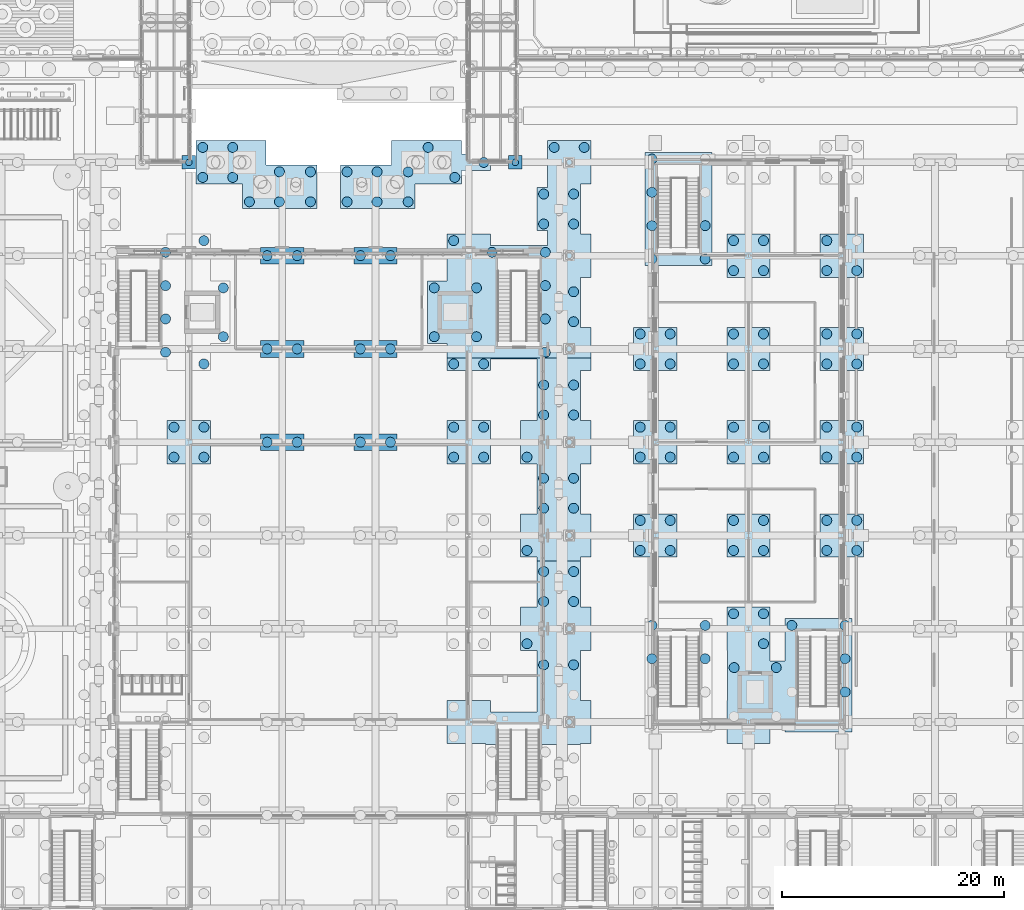
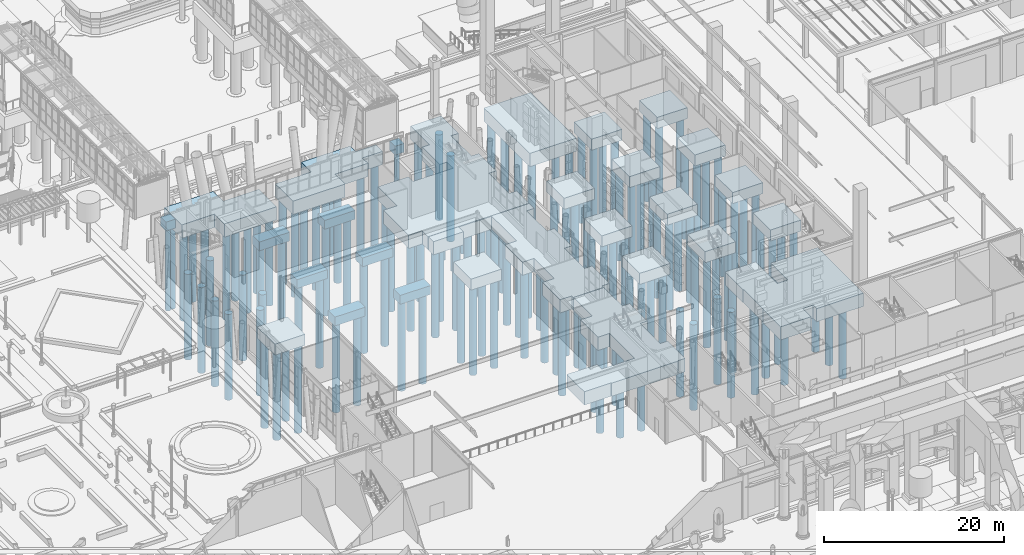
# One storey, part 4 of 222: 147 piles, 28 footings.
"""IFC4 building model written with IfcOpenShell, lengths in metres."""

from ifc_helpers import new_model, si_unit, direction, frame, origin, origin_2d, place, context, subcontext, project, spatial, polyline, rectangle, circle, outline, extrude, material, material_profile, profile_set, type_object, element, save


model = new_model("IFC4")

# Units and contexts
model_context = context("Model", 3, precision=1e-05, world=origin(), true_north=direction((0.0, 1.0)))
body_context = subcontext(model_context, "Body", "Model", "MODEL_VIEW")
ifc_project = project(units=[si_unit("LENGTHUNIT", "METRE"), si_unit("AREAUNIT", "SQUARE_METRE"), si_unit("VOLUMEUNIT", "CUBIC_METRE"), si_unit("PLANEANGLEUNIT", "RADIAN"), si_unit("MASSUNIT", "GRAM", prefix="KILO")], contexts=[model_context])

# Site, building, storey
site_placement = place(None, origin())
site = spatial("IfcSite", under=ifc_project, at=site_placement, CompositionType="ELEMENT")
building_placement = place(site_placement, origin())
building = spatial("IfcBuilding", under=site, at=building_placement, Name="Sava Quay Ferry Terminal", CompositionType="ELEMENT")
storey_placement = place(building_placement, origin())
storey = spatial("IfcBuildingStorey", under=building, at=storey_placement, Name="L00", CompositionType="ELEMENT", Elevation=0.0)

# Piles
ifc_material_1 = material(Name="Concrete C30/37", Category="concrete")
ifc_material_profile_1 = material_profile(ifc_material_1, circle(Radius=0.300048828125, at=origin_2d()), Name="Bored pile D600")
ifc_profile_set_1 = profile_set([ifc_material_profile_1], Name="Concrete C30/37")
pile_type_1 = type_object("IfcPileType", Name="Bored pile D600", PredefinedType="BORED", material=ifc_profile_set_1)
for number, where, z_axis, x_axis, name in (
    (1, (50.39990234375, 109.199951171875, -2.449951171875), (0.0, 0.0, -1.0), (1.0, 0.0, 0.0), "Pile 50.4/109.2"),
    (2, (79.800048828125, 109.199951171875, -2.449951171875), (0.0, 0.0, -1.0), (1.0, 0.0, 0.0), "Pile 79.8/109.2"),
):
    element("IfcPile", number, at=place(storey_placement, frame(where, z_axis=z_axis, x_axis=x_axis)), inside=storey, type_object=pile_type_1, Name=name, PredefinedType="BORED", context=body_context, shape_type="SweptSolid", body=[
        extrude(circle(Radius=0.300048828125, at=origin_2d()), origin(), (0.0, 0.0, 1.0), 11.35009765625),
    ])
ifc_material_2 = material(Name="Concrete C30/37", Category="concrete")
ifc_material_profile_2 = material_profile(ifc_material_2, circle(Radius=0.449951171875, at=origin_2d()), Name="Bored pile D900")
ifc_profile_set_2 = profile_set([ifc_material_profile_2], Name="Concrete C30/37")
pile_type_2 = type_object("IfcPileType", Name="Bored pile D900", PredefinedType="BORED", material=ifc_profile_set_2)
for number, where, z_axis, x_axis, name in (
    (3, (82.35009765625, 63.949951171875, -3.050048828125), (0.0, 0.0, -1.0), (1.0, 0.0, 0.0), "Pile 82.35/63.95"),
    (4, (85.050048828125, 63.949951171875, -3.050048828125), (0.0, 0.0, -1.0), (1.0, 0.0, 0.0), "Pile 85.05/63.95"),
    (5, (82.35009765625, 69.64990234375, -3.050048828125), (0.0, 0.0, -1.0), (1.0, 0.0, 0.0), "Pile 82.35/69.65"),
    (6, (82.35009765625, 72.35009765625, -3.050048828125), (0.0, 0.0, -1.0), (1.0, 0.0, 0.0), "Pile 82.35/72.35"),
    (7, (85.050048828125, 69.64990234375, -3.050048828125), (0.0, 0.0, -1.0), (1.0, 0.0, 0.0), "Pile 85.05/69.65"),
    (8, (85.050048828125, 72.35009765625, -3.050048828125), (0.0, 0.0, -1.0), (1.0, 0.0, 0.0), "Pile 85.05/72.35"),
    (9, (80.85009765625, 65.85009765625, -3.050048828125), (0.0, 0.0, -1.0), (1.0, 0.0, 0.0), "Pile 80.85/65.85"),
    (10, (99.5, 63.699951171875, -3.050048828125), (0.0, 0.0, -1.0), (1.0, 0.0, 0.0), "Pile 99.5/63.7"),
    (11, (103.300048828125, 63.699951171875, -3.050048828125), (0.0, 0.0, -1.0), (1.0, 0.0, 0.0), "Pile 103.3/63.7"),
    (12, (104.699951171875, 67.5, -3.050048828125), (0.0, 0.0, -1.0), (1.0, 0.0, 0.0), "Pile 104.7/67.5"),
    (13, (109.5, 61.5, -3.050048828125), (0.0, 0.0, -1.0), (1.0, 0.0, 0.0), "Pile 109.5/61.5"),
    (14, (109.5, 64.5, -3.050048828125), (0.0, 0.0, -1.0), (1.0, 0.0, 0.0), "Pile 109.5/64.5"),
    (15, (109.5, 67.5, -3.050048828125), (0.0, 0.0, -1.0), (1.0, 0.0, 0.0), "Pile 109.5/67.5"),
    (16, (99.449951171875, 68.550048828125, -3.050048828125), (0.0, 0.0, -1.0), (1.0, 0.0, 0.0), "Pile 99.45/68.55"),
    (17, (102.14990234375, 65.85009765625, -3.050048828125), (0.0, 0.0, -1.0), (1.0, 0.0, 0.0), "Pile 102.15/65.85"),
    (18, (102.14990234375, 68.550048828125, -3.050048828125), (0.0, 0.0, -1.0), (1.0, 0.0, 0.0), "Pile 102.15/68.55"),
    (19, (92.10009765625, 64.5, -3.050048828125), (0.0, 0.0, -1.0), (1.0, 0.0, 0.0), "Pile 92.1/64.5"),
    (20, (92.10009765625, 67.5, -3.050048828125), (0.0, 0.0, -1.0), (1.0, 0.0, 0.0), "Pile 92.1/67.5"),
    (21, (96.89990234375, 64.5, -3.050048828125), (0.0, 0.0, -1.0), (1.0, 0.0, 0.0), "Pile 96.9/64.5"),
    (22, (96.89990234375, 67.5, -3.050048828125), (0.0, 0.0, -1.0), (1.0, 0.0, 0.0), "Pile 96.9/67.5"),
    (23, (82.35009765625, 78.050048828125, -3.050048828125), (0.0, 0.0, -1.0), (1.0, 0.0, 0.0), "Pile 82.35/78.05"),
    (24, (82.35009765625, 80.75, -3.050048828125), (0.0, 0.0, -1.0), (1.0, 0.0, 0.0), "Pile 82.35/80.75"),
    (25, (85.050048828125, 78.050048828125, -3.050048828125), (0.0, 0.0, -1.0), (1.0, 0.0, 0.0), "Pile 85.05/78.05"),
    (26, (85.050048828125, 80.75, -3.050048828125), (0.0, 0.0, -1.0), (1.0, 0.0, 0.0), "Pile 85.05/80.75"),
    (27, (82.35009765625, 86.449951171875, -3.050048828125), (0.0, 0.0, -1.0), (1.0, 0.0, 0.0), "Pile 82.35/86.45"),
    (28, (82.35009765625, 89.14990234375, -3.050048828125), (0.0, 0.0, -1.0), (1.0, 0.0, 0.0), "Pile 82.35/89.15"),
    (29, (85.050048828125, 86.449951171875, -3.050048828125), (0.0, 0.0, -1.0), (1.0, 0.0, 0.0), "Pile 85.05/86.45"),
    (30, (85.050048828125, 89.14990234375, -3.050048828125), (0.0, 0.0, -1.0), (1.0, 0.0, 0.0), "Pile 85.05/89.15"),
    (31, (74.25, 91.050048828125, -3.050048828125), (0.0, 0.0, -1.0), (1.0, 0.0, 0.0), "Pile 74.25/91.05"),
    (32, (76.949951171875, 91.050048828125, -3.050048828125), (0.0, 0.0, -1.0), (1.0, 0.0, 0.0), "Pile 76.95/91.05"),
    (33, (80.85009765625, 74.25, -3.050048828125), (0.0, 0.0, -1.0), (1.0, 0.0, 0.0), "Pile 80.85/74.25"),
    (34, (80.85009765625, 82.64990234375, -3.050048828125), (0.0, 0.0, -1.0), (1.0, 0.0, 0.0), "Pile 80.85/82.65"),
):
    element("IfcPile", number, at=place(storey_placement, frame(where, z_axis=z_axis, x_axis=x_axis)), inside=storey, type_object=pile_type_2, Name=name, PredefinedType="BORED", context=body_context, shape_type="SweptSolid", body=[
        extrude(circle(Radius=0.449951171875, at=origin_2d()), origin(), (0.0, 0.0, 1.0), 11.64990234375),
    ])
for number, where, z_axis, x_axis, name in (
    (35, (91.050048828125, 74.25, -2.75), (0.0, 0.0, -1.0), (1.0, 0.0, 0.0), "Pile 91.05/74.25"),
    (36, (91.050048828125, 76.949951171875, -2.75), (0.0, 0.0, -1.0), (1.0, 0.0, 0.0), "Pile 91.05/76.95"),
    (37, (93.75, 74.25, -2.75), (0.0, 0.0, -1.0), (1.0, 0.0, 0.0), "Pile 93.75/74.25"),
    (38, (93.75, 76.949951171875, -2.75), (0.0, 0.0, -1.0), (1.0, 0.0, 0.0), "Pile 93.75/76.95"),
    (39, (99.449951171875, 74.25, -2.75), (0.0, 0.0, -1.0), (1.0, 0.0, 0.0), "Pile 99.45/74.25"),
    (40, (99.449951171875, 76.949951171875, -2.75), (0.0, 0.0, -1.0), (1.0, 0.0, 0.0), "Pile 99.45/76.95"),
    (41, (102.14990234375, 74.25, -2.75), (0.0, 0.0, -1.0), (1.0, 0.0, 0.0), "Pile 102.15/74.25"),
    (42, (102.14990234375, 76.949951171875, -2.75), (0.0, 0.0, -1.0), (1.0, 0.0, 0.0), "Pile 102.15/76.95"),
    (43, (107.85009765625, 74.25, -2.75), (0.0, 0.0, -1.0), (1.0, 0.0, 0.0), "Pile 107.85/74.25"),
    (44, (107.85009765625, 76.949951171875, -2.75), (0.0, 0.0, -1.0), (1.0, 0.0, 0.0), "Pile 107.85/76.95"),
    (45, (110.550048828125, 74.25, -2.75), (0.0, 0.0, -1.0), (1.0, 0.0, 0.0), "Pile 110.55/74.25"),
    (46, (110.550048828125, 76.949951171875, -2.75), (0.0, 0.0, -1.0), (1.0, 0.0, 0.0), "Pile 110.55/76.95"),
    (47, (49.050048828125, 82.64990234375, -2.75), (0.0, 0.0, -1.0), (1.0, 0.0, 0.0), "Pile 49.05/82.65"),
    (48, (49.050048828125, 85.35009765625, -2.75), (0.0, 0.0, -1.0), (1.0, 0.0, 0.0), "Pile 49.05/85.35"),
    (49, (51.75, 82.64990234375, -2.75), (0.0, 0.0, -1.0), (1.0, 0.0, 0.0), "Pile 51.75/82.65"),
    (50, (51.75, 85.35009765625, -2.75), (0.0, 0.0, -1.0), (1.0, 0.0, 0.0), "Pile 51.75/85.35"),
    (51, (74.25, 82.64990234375, -2.75), (0.0, 0.0, -1.0), (1.0, 0.0, 0.0), "Pile 74.25/82.65"),
    (52, (74.25, 85.35009765625, -2.75), (0.0, 0.0, -1.0), (1.0, 0.0, 0.0), "Pile 74.25/85.35"),
    (53, (76.949951171875, 82.64990234375, -2.75), (0.0, 0.0, -1.0), (1.0, 0.0, 0.0), "Pile 76.95/82.65"),
    (54, (76.949951171875, 85.35009765625, -2.75), (0.0, 0.0, -1.0), (1.0, 0.0, 0.0), "Pile 76.95/85.35"),
    (55, (91.050048828125, 82.64990234375, -2.75), (0.0, 0.0, -1.0), (1.0, 0.0, 0.0), "Pile 91.05/82.65"),
    (56, (91.050048828125, 85.35009765625, -2.75), (0.0, 0.0, -1.0), (1.0, 0.0, 0.0), "Pile 91.05/85.35"),
    (57, (93.75, 82.64990234375, -2.75), (0.0, 0.0, -1.0), (1.0, 0.0, 0.0), "Pile 93.75/82.65"),
    (58, (93.75, 85.35009765625, -2.75), (0.0, 0.0, -1.0), (1.0, 0.0, 0.0), "Pile 93.75/85.35"),
    (59, (99.449951171875, 82.64990234375, -2.75), (0.0, 0.0, -1.0), (1.0, 0.0, 0.0), "Pile 99.45/82.65"),
    (60, (99.449951171875, 85.35009765625, -2.75), (0.0, 0.0, -1.0), (1.0, 0.0, 0.0), "Pile 99.45/85.35"),
    (61, (102.14990234375, 82.64990234375, -2.75), (0.0, 0.0, -1.0), (1.0, 0.0, 0.0), "Pile 102.15/82.65"),
    (62, (102.14990234375, 85.35009765625, -2.75), (0.0, 0.0, -1.0), (1.0, 0.0, 0.0), "Pile 102.15/85.35"),
    (63, (107.85009765625, 82.64990234375, -2.75), (0.0, 0.0, -1.0), (1.0, 0.0, 0.0), "Pile 107.85/82.65"),
    (64, (107.85009765625, 85.35009765625, -2.75), (0.0, 0.0, -1.0), (1.0, 0.0, 0.0), "Pile 107.85/85.35"),
    (65, (110.550048828125, 82.64990234375, -2.75), (0.0, 0.0, -1.0), (1.0, 0.0, 0.0), "Pile 110.55/82.65"),
    (66, (110.550048828125, 85.35009765625, -2.75), (0.0, 0.0, -1.0), (1.0, 0.0, 0.0), "Pile 110.55/85.35"),
):
    element("IfcPile", number, at=place(storey_placement, frame(where, z_axis=z_axis, x_axis=x_axis)), inside=storey, type_object=pile_type_2, Name=name, PredefinedType="BORED", context=body_context, shape_type="SweptSolid", body=[
        extrude(circle(Radius=0.449951171875, at=origin_2d()), origin(), (0.0, 0.0, 1.0), 11.949951171875),
    ])
for number, where, z_axis, x_axis, name in (
    (67, (57.449951171875, 84.0, -2.449951171875), (0.0, 0.0, -1.0), (1.0, 0.0, 0.0), "Pile 57.45/84"),
    (68, (60.14990234375, 84.0, -2.449951171875), (0.0, 0.0, -1.0), (1.0, 0.0, 0.0), "Pile 60.15/84"),
    (69, (65.85009765625, 84.0, -2.449951171875), (0.0, 0.0, -1.0), (1.0, 0.0, 0.0), "Pile 65.85/84"),
    (70, (68.550048828125, 84.0, -2.449951171875), (0.0, 0.0, -1.0), (1.0, 0.0, 0.0), "Pile 68.55/84"),
):
    element("IfcPile", number, at=place(storey_placement, frame(where, z_axis=z_axis, x_axis=x_axis)), inside=storey, type_object=pile_type_2, Name=name, PredefinedType="BORED", context=body_context, shape_type="SweptSolid", body=[
        extrude(circle(Radius=0.449951171875, at=origin_2d()), origin(), (0.0, 0.0, 1.0), 12.25),
    ])
for number, where, z_axis, x_axis, name in (
    (71, (48.300048828125, 92.10009765625, -3.050048828125), (0.0, 0.0, -1.0), (1.0, 0.0, 0.0), "Pile 48.3/92.1"),
    (72, (48.300048828125, 95.10009765625, -3.050048828125), (0.0, 0.0, -1.0), (1.0, 0.0, 0.0), "Pile 48.3/95.1"),
    (73, (48.300048828125, 98.10009765625, -3.050048828125), (0.0, 0.0, -1.0), (1.0, 0.0, 0.0), "Pile 48.3/98.1"),
    (74, (48.300048828125, 101.10009765625, -3.050048828125), (0.0, 0.0, -1.0), (1.0, 0.0, 0.0), "Pile 48.3/101.1"),
    (75, (53.5, 93.5, -3.050048828125), (0.0, 0.0, -1.0), (1.0, 0.0, 0.0), "Pile 53.5/93.5"),
    (76, (53.5, 97.89990234375, -3.050048828125), (0.0, 0.0, -1.0), (1.0, 0.0, 0.0), "Pile 53.5/97.9"),
    (77, (51.75, 91.050048828125, -3.050048828125), (0.0, 0.0, -1.0), (1.0, 0.0, 0.0), "Pile 51.75/91.05"),
    (78, (51.75, 102.14990234375, -3.050048828125), (0.0, 0.0, -1.0), (1.0, 0.0, 0.0), "Pile 51.75/102.15"),
):
    element("IfcPile", number, at=place(storey_placement, frame(where, z_axis=z_axis, x_axis=x_axis)), inside=storey, type_object=pile_type_2, Name=name, PredefinedType="BORED", context=body_context, shape_type="SweptSolid", body=[
        extrude(circle(Radius=0.449951171875, at=origin_2d()), origin(), (0.0, 0.0, 1.0), 11.64990234375),
    ])
for number, where, z_axis, x_axis, name in (
    (79, (91.050048828125, 91.050048828125, -2.75), (0.0, 0.0, -1.0), (1.0, 0.0, 0.0), "Pile 91.05/91.05"),
    (80, (91.050048828125, 93.75, -2.75), (0.0, 0.0, -1.0), (1.0, 0.0, 0.0), "Pile 91.05/93.75"),
    (81, (93.75, 91.050048828125, -2.75), (0.0, 0.0, -1.0), (1.0, 0.0, 0.0), "Pile 93.75/91.05"),
    (82, (93.75, 93.75, -2.75), (0.0, 0.0, -1.0), (1.0, 0.0, 0.0), "Pile 93.75/93.75"),
    (83, (99.449951171875, 91.050048828125, -2.75), (0.0, 0.0, -1.0), (1.0, 0.0, 0.0), "Pile 99.45/91.05"),
    (84, (99.449951171875, 93.75, -2.75), (0.0, 0.0, -1.0), (1.0, 0.0, 0.0), "Pile 99.45/93.75"),
    (85, (102.14990234375, 91.050048828125, -2.75), (0.0, 0.0, -1.0), (1.0, 0.0, 0.0), "Pile 102.15/91.05"),
    (86, (102.14990234375, 93.75, -2.75), (0.0, 0.0, -1.0), (1.0, 0.0, 0.0), "Pile 102.15/93.75"),
    (87, (107.85009765625, 91.050048828125, -2.75), (0.0, 0.0, -1.0), (1.0, 0.0, 0.0), "Pile 107.85/91.05"),
    (88, (107.85009765625, 93.75, -2.75), (0.0, 0.0, -1.0), (1.0, 0.0, 0.0), "Pile 107.85/93.75"),
    (89, (110.550048828125, 91.050048828125, -2.75), (0.0, 0.0, -1.0), (1.0, 0.0, 0.0), "Pile 110.55/91.05"),
    (90, (110.550048828125, 93.75, -2.75), (0.0, 0.0, -1.0), (1.0, 0.0, 0.0), "Pile 110.55/93.75"),
):
    element("IfcPile", number, at=place(storey_placement, frame(where, z_axis=z_axis, x_axis=x_axis)), inside=storey, type_object=pile_type_2, Name=name, PredefinedType="BORED", context=body_context, shape_type="SweptSolid", body=[
        extrude(circle(Radius=0.449951171875, at=origin_2d()), origin(), (0.0, 0.0, 1.0), 11.949951171875),
    ])
for number, where, z_axis, x_axis, name in (
    (91, (72.5, 93.5, -3.050048828125), (0.0, 0.0, -1.0), (1.0, 0.0, 0.0), "Pile 72.5/93.5"),
    (92, (72.5, 97.89990234375, -3.050048828125), (0.0, 0.0, -1.0), (1.0, 0.0, 0.0), "Pile 72.5/97.9"),
    (93, (76.300048828125, 93.5, -3.050048828125), (0.0, 0.0, -1.0), (1.0, 0.0, 0.0), "Pile 76.3/93.5"),
    (94, (76.300048828125, 97.89990234375, -3.050048828125), (0.0, 0.0, -1.0), (1.0, 0.0, 0.0), "Pile 76.3/97.9"),
    (95, (77.699951171875, 101.10009765625, -3.050048828125), (0.0, 0.0, -1.0), (1.0, 0.0, 0.0), "Pile 77.7/101.1"),
    (96, (82.5, 92.10009765625, -3.050048828125), (0.0, 0.0, -1.0), (1.0, 0.0, 0.0), "Pile 82.5/92.1"),
    (97, (82.5, 95.10009765625, -3.050048828125), (0.0, 0.0, -1.0), (1.0, 0.0, 0.0), "Pile 82.5/95.1"),
    (98, (82.5, 98.10009765625, -3.050048828125), (0.0, 0.0, -1.0), (1.0, 0.0, 0.0), "Pile 82.5/98.1"),
    (99, (82.5, 101.10009765625, -3.050048828125), (0.0, 0.0, -1.0), (1.0, 0.0, 0.0), "Pile 82.5/101.1"),
    (100, (85.050048828125, 94.85009765625, -3.050048828125), (0.0, 0.0, -1.0), (1.0, 0.0, 0.0), "Pile 85.05/94.85"),
    (101, (85.050048828125, 97.550048828125, -3.050048828125), (0.0, 0.0, -1.0), (1.0, 0.0, 0.0), "Pile 85.05/97.55"),
    (102, (82.35009765625, 103.64990234375, -3.050048828125), (0.0, 0.0, -1.0), (1.0, 0.0, 0.0), "Pile 82.35/103.65"),
    (103, (82.35009765625, 106.35009765625, -3.050048828125), (0.0, 0.0, -1.0), (1.0, 0.0, 0.0), "Pile 82.35/106.35"),
    (104, (85.050048828125, 103.64990234375, -3.050048828125), (0.0, 0.0, -1.0), (1.0, 0.0, 0.0), "Pile 85.05/103.65"),
    (105, (85.050048828125, 106.35009765625, -3.050048828125), (0.0, 0.0, -1.0), (1.0, 0.0, 0.0), "Pile 85.05/106.35"),
    (106, (83.300048828125, 110.550048828125, -3.050048828125), (0.0, 0.0, -1.0), (1.0, 0.0, 0.0), "Pile 83.3/110.55"),
    (107, (86.0, 110.550048828125, -3.050048828125), (0.0, 0.0, -1.0), (1.0, 0.0, 0.0), "Pile 86/110.55"),
    (108, (74.25, 102.14990234375, -3.050048828125), (0.0, 0.0, -1.0), (1.0, 0.0, 0.0), "Pile 74.25/102.15"),
):
    element("IfcPile", number, at=place(storey_placement, frame(where, z_axis=z_axis, x_axis=x_axis)), inside=storey, type_object=pile_type_2, Name=name, PredefinedType="BORED", context=body_context, shape_type="SweptSolid", body=[
        extrude(circle(Radius=0.449951171875, at=origin_2d()), origin(), (0.0, 0.0, 1.0), 11.64990234375),
    ])
for number, where, z_axis, x_axis, name in (
    (109, (57.449951171875, 92.39990234375, -2.449951171875), (0.0, 0.0, -1.0), (1.0, 0.0, 0.0), "Pile 57.45/92.4"),
    (110, (60.14990234375, 92.39990234375, -2.449951171875), (0.0, 0.0, -1.0), (1.0, 0.0, 0.0), "Pile 60.15/92.4"),
    (111, (65.85009765625, 92.39990234375, -2.449951171875), (0.0, 0.0, -1.0), (1.0, 0.0, 0.0), "Pile 65.85/92.4"),
    (112, (68.550048828125, 92.39990234375, -2.449951171875), (0.0, 0.0, -1.0), (1.0, 0.0, 0.0), "Pile 68.55/92.4"),
):
    element("IfcPile", number, at=place(storey_placement, frame(where, z_axis=z_axis, x_axis=x_axis)), inside=storey, type_object=pile_type_2, Name=name, PredefinedType="BORED", context=body_context, shape_type="SweptSolid", body=[
        extrude(circle(Radius=0.449951171875, at=origin_2d()), origin(), (0.0, 0.0, 1.0), 12.25),
    ])
for number, where, z_axis, x_axis, name in (
    (113, (99.449951171875, 99.449951171875, -2.75), (0.0, 0.0, -1.0), (1.0, 0.0, 0.0), "Pile 99.45/99.45"),
    (114, (99.449951171875, 102.14990234375, -2.75), (0.0, 0.0, -1.0), (1.0, 0.0, 0.0), "Pile 99.45/102.15"),
    (115, (102.14990234375, 99.449951171875, -2.75), (0.0, 0.0, -1.0), (1.0, 0.0, 0.0), "Pile 102.15/99.45"),
    (116, (102.14990234375, 102.14990234375, -2.75), (0.0, 0.0, -1.0), (1.0, 0.0, 0.0), "Pile 102.15/102.15"),
    (117, (107.85009765625, 99.449951171875, -2.75), (0.0, 0.0, -1.0), (1.0, 0.0, 0.0), "Pile 107.85/99.45"),
    (118, (107.85009765625, 102.14990234375, -2.75), (0.0, 0.0, -1.0), (1.0, 0.0, 0.0), "Pile 107.85/102.15"),
    (119, (110.550048828125, 99.449951171875, -2.75), (0.0, 0.0, -1.0), (1.0, 0.0, 0.0), "Pile 110.55/99.45"),
):
    element("IfcPile", number, at=place(storey_placement, frame(where, z_axis=z_axis, x_axis=x_axis)), inside=storey, type_object=pile_type_2, Name=name, PredefinedType="BORED", context=body_context, shape_type="SweptSolid", body=[
        extrude(circle(Radius=0.449951171875, at=origin_2d()), origin(), (0.0, 0.0, 1.0), 11.949951171875),
    ])
for number, where, z_axis, x_axis, name in (
    (120, (92.10009765625, 100.5, -3.050048828125), (0.0, 0.0, -1.0), (1.0, 0.0, 0.0), "Pile 92.1/100.5"),
    (121, (92.10009765625, 103.5, -3.050048828125), (0.0, 0.0, -1.0), (1.0, 0.0, 0.0), "Pile 92.1/103.5"),
    (122, (92.10009765625, 106.5, -3.050048828125), (0.0, 0.0, -1.0), (1.0, 0.0, 0.0), "Pile 92.1/106.5"),
    (123, (92.10009765625, 109.5, -3.050048828125), (0.0, 0.0, -1.0), (1.0, 0.0, 0.0), "Pile 92.1/109.5"),
    (124, (96.89990234375, 100.5, -3.050048828125), (0.0, 0.0, -1.0), (1.0, 0.0, 0.0), "Pile 96.9/100.5"),
    (125, (96.89990234375, 103.5, -3.050048828125), (0.0, 0.0, -1.0), (1.0, 0.0, 0.0), "Pile 96.9/103.5"),
):
    element("IfcPile", number, at=place(storey_placement, frame(where, z_axis=z_axis, x_axis=x_axis)), inside=storey, type_object=pile_type_2, Name=name, PredefinedType="BORED", context=body_context, shape_type="SweptSolid", body=[
        extrude(circle(Radius=0.449951171875, at=origin_2d()), origin(), (0.0, 0.0, 1.0), 11.64990234375),
    ])
for number, where, z_axis, x_axis, name in (
    (126, (57.449951171875, 100.800048828125, -2.449951171875), (0.0, 0.0, -1.0), (1.0, 0.0, 0.0), "Pile 57.45/100.8"),
    (127, (60.14990234375, 100.800048828125, -2.449951171875), (0.0, 0.0, -1.0), (1.0, 0.0, 0.0), "Pile 60.15/100.8"),
    (128, (65.85009765625, 100.800048828125, -2.449951171875), (0.0, 0.0, -1.0), (1.0, 0.0, 0.0), "Pile 65.85/100.8"),
    (129, (68.550048828125, 100.800048828125, -2.449951171875), (0.0, 0.0, -1.0), (1.0, 0.0, 0.0), "Pile 68.55/100.8"),
):
    element("IfcPile", number, at=place(storey_placement, frame(where, z_axis=z_axis, x_axis=x_axis)), inside=storey, type_object=pile_type_2, Name=name, PredefinedType="BORED", context=body_context, shape_type="SweptSolid", body=[
        extrude(circle(Radius=0.449951171875, at=origin_2d()), origin(), (0.0, 0.0, 1.0), 12.25),
    ])
for number, where, z_axis, x_axis, name in (
    (130, (51.64990234375, 107.85009765625, -3.050048828125), (0.0, 0.0, -1.0), (1.0, 0.0, 0.0), "Pile 51.65/107.85"),
    (131, (51.64990234375, 110.550048828125, -3.050048828125), (0.0, 0.0, -1.0), (1.0, 0.0, 0.0), "Pile 51.65/110.55"),
    (132, (54.35009765625, 107.85009765625, -3.050048828125), (0.0, 0.0, -1.0), (1.0, 0.0, 0.0), "Pile 54.35/107.85"),
    (133, (54.35009765625, 110.550048828125, -3.050048828125), (0.0, 0.0, -1.0), (1.0, 0.0, 0.0), "Pile 54.35/110.55"),
    (134, (55.85009765625, 105.64990234375, -3.050048828125), (0.0, 0.0, -1.0), (1.0, 0.0, 0.0), "Pile 55.85/105.65"),
    (135, (58.550048828125, 105.64990234375, -3.050048828125), (0.0, 0.0, -1.0), (1.0, 0.0, 0.0), "Pile 58.55/105.65"),
    (136, (58.550048828125, 108.35009765625, -3.050048828125), (0.0, 0.0, -1.0), (1.0, 0.0, 0.0), "Pile 58.55/108.35"),
    (137, (61.35009765625, 105.64990234375, -3.050048828125), (0.0, 0.0, -1.0), (1.0, 0.0, 0.0), "Pile 61.35/105.65"),
    (138, (61.35009765625, 108.35009765625, -3.050048828125), (0.0, 0.0, -1.0), (1.0, 0.0, 0.0), "Pile 61.35/108.35"),
    (139, (64.64990234375, 105.64990234375, -3.050048828125), (0.0, 0.0, -1.0), (1.0, 0.0, 0.0), "Pile 64.65/105.65"),
    (140, (64.64990234375, 108.35009765625, -3.050048828125), (0.0, 0.0, -1.0), (1.0, 0.0, 0.0), "Pile 64.65/108.35"),
    (141, (67.35009765625, 105.64990234375, -3.050048828125), (0.0, 0.0, -1.0), (1.0, 0.0, 0.0), "Pile 67.35/105.65"),
    (142, (67.35009765625, 108.35009765625, -3.050048828125), (0.0, 0.0, -1.0), (1.0, 0.0, 0.0), "Pile 67.35/108.35"),
    (143, (70.14990234375, 105.64990234375, -3.050048828125), (0.0, 0.0, -1.0), (1.0, 0.0, 0.0), "Pile 70.15/105.65"),
    (144, (70.14990234375, 108.35009765625, -3.050048828125), (0.0, 0.0, -1.0), (1.0, 0.0, 0.0), "Pile 70.15/108.35"),
    (145, (71.949951171875, 110.550048828125, -3.050048828125), (0.0, 0.0, -1.0), (1.0, 0.0, 0.0), "Pile 71.95/110.55"),
    (146, (74.35009765625, 107.85009765625, -3.050048828125), (0.0, 0.0, -1.0), (1.0, 0.0, 0.0), "Pile 74.35/107.85"),
    (147, (76.949951171875, 109.199951171875, -3.050048828125), (0.0, 0.0, -1.0), (1.0, 0.0, 0.0), "Pile 76.95/109.2"),
):
    element("IfcPile", number, at=place(storey_placement, frame(where, z_axis=z_axis, x_axis=x_axis)), inside=storey, type_object=pile_type_2, Name=name, PredefinedType="BORED", context=body_context, shape_type="SweptSolid", body=[
        extrude(circle(Radius=0.449951171875, at=origin_2d()), origin(), (0.0, 0.0, 1.0), 11.64990234375),
    ])

# Footings
ifc_material_3 = material(Name="Concrete C35/45", Category="concrete")
footing_type_1 = type_object("IfcFootingType", Name="Pile cap 1.2x1.2x1.2", PredefinedType="PILE_CAP", material=ifc_material_3)
for number, where, z_axis, x_axis, name in (
    (148, (50.39990234375, 109.199951171875, -2.5498046875), (0.0, 0.0, 1.0), (1.0, 0.0, 0.0), "Gallery post cap 49.8/108.6"),
    (149, (79.800048828125, 109.199951171875, -2.5498046875), (0.0, 0.0, 1.0), (1.0, 0.0, 0.0), "Gallery post cap 79.2/108.6"),
):
    element("IfcFooting", number, at=place(storey_placement, frame(where, z_axis=z_axis, x_axis=x_axis)), inside=storey, type_object=footing_type_1, Name=name, PredefinedType="PILE_CAP", context=body_context, shape_type="SweptSolid", body=[
        extrude(rectangle(XDim=1.199951171875, YDim=1.199951171875, at=origin_2d()), origin(), (0.0, 0.0, 1.0), 1.199951171875),
    ])
ifc_material_4 = material(Name="Concrete C35/45", Category="concrete")
footing_type_2 = type_object("IfcFootingType", Name="Pile cap 3.9x1.5x1.2", PredefinedType="PILE_CAP", material=ifc_material_4)
for number, where, z_axis, x_axis, name in (
    (150, (58.800048828125, 84.0, -2.5498046875), (0.0, 0.0, 1.0), (1.0, 0.0, 0.0), "Deck pile cap 56.85/83.25"),
    (151, (67.199951171875, 84.0, -2.5498046875), (0.0, 0.0, 1.0), (1.0, 0.0, 0.0), "Deck pile cap 65.25/83.25"),
    (152, (58.800048828125, 92.39990234375, -2.5498046875), (0.0, 0.0, 1.0), (1.0, 0.0, 0.0), "Deck pile cap 56.85/91.65"),
    (153, (67.199951171875, 92.39990234375, -2.5498046875), (0.0, 0.0, 1.0), (1.0, 0.0, 0.0), "Deck pile cap 65.25/91.65"),
    (154, (58.800048828125, 100.800048828125, -2.5498046875), (0.0, 0.0, 1.0), (1.0, 0.0, 0.0), "Deck pile cap 56.85/100.05"),
    (155, (67.199951171875, 100.800048828125, -2.5498046875), (0.0, 0.0, 1.0), (1.0, 0.0, 0.0), "Deck pile cap 65.25/100.05"),
):
    element("IfcFooting", number, at=place(storey_placement, frame(where, z_axis=z_axis, x_axis=x_axis)), inside=storey, type_object=footing_type_2, Name=name, PredefinedType="PILE_CAP", context=body_context, shape_type="SweptSolid", body=[
        extrude(rectangle(XDim=3.89990234375, YDim=1.5, at=origin_2d()), origin(), (0.0, 0.0, 1.0), 1.199951171875),
    ])
ifc_material_5 = material(Name="Concrete C35/45", Category="concrete")
footing_type_3 = type_object("IfcFootingType", Name="Pile cap 3.9x3.9x1.5", PredefinedType="PILE_CAP", material=ifc_material_5)
for number, where, z_axis, x_axis, name in (
    (156, (92.39990234375, 75.60009765625, -2.85009765625), (0.0, 0.0, 1.0), (1.0, 0.0, 0.0), "Pile cap 90.45/73.65"),
    (157, (100.800048828125, 75.60009765625, -2.85009765625), (0.0, 0.0, 1.0), (1.0, 0.0, 0.0), "Pile cap 98.85/73.65"),
    (158, (109.199951171875, 75.60009765625, -2.85009765625), (0.0, 0.0, 1.0), (1.0, 0.0, 0.0), "Pile cap 107.25/73.65"),
    (159, (50.39990234375, 84.0, -2.85009765625), (0.0, 0.0, 1.0), (1.0, 0.0, 0.0), "Pile cap 48.45/82.05"),
    (160, (75.60009765625, 84.0, -2.85009765625), (0.0, 0.0, 1.0), (1.0, 0.0, 0.0), "Pile cap 73.65/82.05"),
    (161, (92.39990234375, 84.0, -2.85009765625), (0.0, 0.0, 1.0), (1.0, 0.0, 0.0), "Pile cap 90.45/82.05"),
    (162, (100.800048828125, 84.0, -2.85009765625), (0.0, 0.0, 1.0), (1.0, 0.0, 0.0), "Pile cap 98.85/82.05"),
    (163, (109.199951171875, 84.0, -2.85009765625), (0.0, 0.0, 1.0), (1.0, 0.0, 0.0), "Pile cap 107.25/82.05"),
    (164, (92.39990234375, 92.39990234375, -2.85009765625), (0.0, 0.0, 1.0), (1.0, 0.0, 0.0), "Pile cap 90.45/90.45"),
    (165, (100.800048828125, 92.39990234375, -2.85009765625), (0.0, 0.0, 1.0), (1.0, 0.0, 0.0), "Pile cap 98.85/90.45"),
    (166, (109.199951171875, 92.39990234375, -2.85009765625), (0.0, 0.0, 1.0), (1.0, 0.0, 0.0), "Pile cap 107.25/90.45"),
    (167, (100.800048828125, 100.800048828125, -2.85009765625), (0.0, 0.0, 1.0), (1.0, 0.0, 0.0), "Pile cap 98.85/98.85"),
    (168, (109.199951171875, 100.800048828125, -2.85009765625), (0.0, 0.0, 1.0), (1.0, 0.0, 0.0), "Pile cap 107.25/98.85"),
):
    element("IfcFooting", number, at=place(storey_placement, frame(where, z_axis=z_axis, x_axis=x_axis)), inside=storey, type_object=footing_type_3, Name=name, PredefinedType="PILE_CAP", context=body_context, shape_type="SweptSolid", body=[
        extrude(rectangle(XDim=3.89990234375, YDim=3.89990234375, at=origin_2d()), origin(), (0.0, 0.0, 1.0), 1.5),
    ])
ifc_material_6 = material(Name="Concrete C35/45", Category="concrete")
footing_type_4 = type_object("IfcFootingType", Name="Pile cap 6.0x10.2x1.8", PredefinedType="PILE_CAP", material=ifc_material_6)
footing_1_placement = place(storey_placement, frame((94.5, 105.0, -3.14990234375), z_axis=(0.0, 0.0, 1.0), x_axis=(1.0, 0.0, 0.0)))
element("IfcFooting", 169, at=footing_1_placement, inside=storey, type_object=footing_type_4, Name="Raft 91.5/99.9", PredefinedType="PILE_CAP", context=body_context, shape_type="SweptSolid", body=[
    extrude(rectangle(XDim=6.0, YDim=10.199951171875, at=origin_2d()), origin(), (0.0, 0.0, 1.0), 1.800048828125),
])
ifc_material_7 = material(Name="Concrete C35/45", Category="concrete")
footing_type_5 = type_object("IfcFootingType", Name="Pile cap group 1.8", PredefinedType="PILE_CAP", material=ifc_material_7)
footing_2_placement = place(storey_placement, frame((0.0, 0.0, -3.14990234375)))
element("IfcFooting", 170, at=footing_2_placement, inside=storey, type_object=footing_type_5, Name="Raft 73.65/56.785", PredefinedType="PILE_CAP", context=body_context, shape_type="SweptSolid", body=[
    extrude(outline(polyline([(86.60009765625, 69.14990234375), (86.60009765625, 65.25), (85.64990234375, 65.25), (85.64990234375, 60.75), (86.60009765625, 60.75), (86.60009765625, 56.85009765625), (85.64990234375, 56.85009765625), (85.64990234375, 56.784912109375), (77.10009765625, 56.784912109375), (77.10009765625, 56.85009765625), (73.64990234375, 56.85009765625), (73.64990234375, 60.75), (77.550048828125, 60.75), (77.550048828125, 59.699951171875), (81.75, 59.699951171875), (81.75, 65.25), (80.25, 65.25), (80.25, 69.14990234375), (81.75, 69.14990234375), (81.75, 73.2900390625), (85.64990234375, 73.2900390625), (85.64990234375, 69.14990234375), (86.60009765625, 69.14990234375)])), origin(), (0.0, 0.0, 1.0), 1.7998046875),
])
footing_3_placement = place(storey_placement, frame((0.0, 0.0, -3.14990234375)))
element("IfcFooting", 171, at=footing_3_placement, inside=storey, type_object=footing_type_5, Name="Raft 98.85/56.85", PredefinedType="PILE_CAP", context=body_context, shape_type="SweptSolid", body=[
    extrude(outline(polyline([(98.85009765625, 60.75), (98.89990234375, 60.75), (98.89990234375, 65.25), (98.85009765625, 65.25), (98.85009765625, 69.14990234375), (102.75, 69.14990234375), (102.75, 64.300048828125), (104.10009765625, 64.300048828125), (104.10009765625, 68.10009765625), (110.10009765625, 68.10009765625), (110.10009765625, 57.89990234375), (104.10009765625, 57.89990234375), (104.10009765625, 58.699951171875), (102.75, 58.699951171875), (102.75, 56.85009765625), (98.85009765625, 56.85009765625), (98.85009765625, 60.75)])), origin(), (0.0, 0.0, 1.0), 1.7998046875),
])
footing_4_placement = place(storey_placement, frame((0.0, 0.0, -3.14990234375)))
element("IfcFooting", 172, at=footing_4_placement, inside=storey, type_object=footing_type_5, Name="Raft 73.65/73.31", PredefinedType="PILE_CAP", context=body_context, shape_type="SweptSolid", body=[
    extrude(outline(polyline([(86.60009765625, 90.449951171875), (85.64990234375, 90.449951171875), (85.64990234375, 85.949951171875), (86.60009765625, 85.949951171875), (86.60009765625, 82.050048828125), (85.64990234375, 82.050048828125), (85.64990234375, 77.550048828125), (86.60009765625, 77.550048828125), (86.60009765625, 73.64990234375), (85.64990234375, 73.64990234375), (85.64990234375, 73.31005859375), (81.75, 73.31005859375), (81.75, 73.64990234375), (80.25, 73.64990234375), (80.25, 77.550048828125), (81.75, 77.550048828125), (81.75, 82.050048828125), (80.25, 82.050048828125), (80.25, 85.949951171875), (81.75, 85.949951171875), (81.75, 91.5), (77.550048828125, 91.5), (77.550048828125, 90.449951171875), (73.64990234375, 90.449951171875), (73.64990234375, 91.56494140625), (86.60009765625, 91.56494140625), (86.60009765625, 90.449951171875)])), origin(), (0.0, 0.0, 1.0), 1.7998046875),
])
footing_5_placement = place(storey_placement, frame((0.0, 0.0, -3.14990234375)))
element("IfcFooting", 173, at=footing_5_placement, inside=storey, type_object=footing_type_5, Name="Raft 71.9/91.585", PredefinedType="PILE_CAP", context=body_context, shape_type="SweptSolid", body=[
    extrude(outline(polyline([(77.550048828125, 102.75), (77.550048828125, 101.699951171875), (82.699951171875, 101.699951171875), (82.699951171875, 103.050048828125), (81.75, 103.050048828125), (81.75, 106.949951171875), (82.699951171875, 106.949951171875), (82.699951171875, 111.14990234375), (86.60009765625, 111.14990234375), (86.60009765625, 107.25), (85.64990234375, 107.25), (85.64990234375, 102.75), (86.60009765625, 102.75), (86.60009765625, 98.85009765625), (85.64990234375, 98.85009765625), (85.64990234375, 94.35009765625), (86.60009765625, 94.35009765625), (86.60009765625, 91.5849609375), (73.64990234375, 91.5849609375), (73.64990234375, 92.89990234375), (71.89990234375, 92.89990234375), (71.89990234375, 98.5), (73.64990234375, 98.5), (73.64990234375, 102.75), (77.550048828125, 102.75)])), origin(), (0.0, 0.0, 1.0), 1.7998046875),
])
footing_6_placement = place(storey_placement, frame((0.0, 0.0, -3.14990234375)))
element("IfcFooting", 174, at=footing_6_placement, inside=storey, type_object=footing_type_5, Name="Strip cap 51.05/105.05", PredefinedType="PILE_CAP", context=body_context, shape_type="SweptSolid", body=[
    extrude(outline(polyline([(55.25, 107.25), (51.050048828125, 107.25), (51.050048828125, 111.14990234375), (57.35009765625, 111.14990234375), (57.35009765625, 108.949951171875), (61.949951171875, 108.949951171875), (61.949951171875, 105.050048828125), (55.25, 105.050048828125), (55.25, 107.25)])), origin(), (0.0, 0.0, 1.0), 1.7998046875),
])
footing_7_placement = place(storey_placement, frame((0.0, 0.0, -3.14990234375)))
element("IfcFooting", 175, at=footing_7_placement, inside=storey, type_object=footing_type_5, Name="Strip cap 64.05/105.05", PredefinedType="PILE_CAP", context=body_context, shape_type="SweptSolid", body=[
    extrude(outline(polyline([(64.050048828125, 108.949951171875), (68.64990234375, 108.949951171875), (68.64990234375, 111.14990234375), (74.949951171875, 111.14990234375), (74.949951171875, 109.949951171875), (77.550048828125, 109.949951171875), (77.550048828125, 108.449951171875), (74.949951171875, 108.449951171875), (74.949951171875, 107.25), (70.75, 107.25), (70.75, 105.050048828125), (64.050048828125, 105.050048828125), (64.050048828125, 108.949951171875)])), origin(), (0.0, 0.0, 1.0), 1.7998046875),
])

save(model, "model.ifc")
